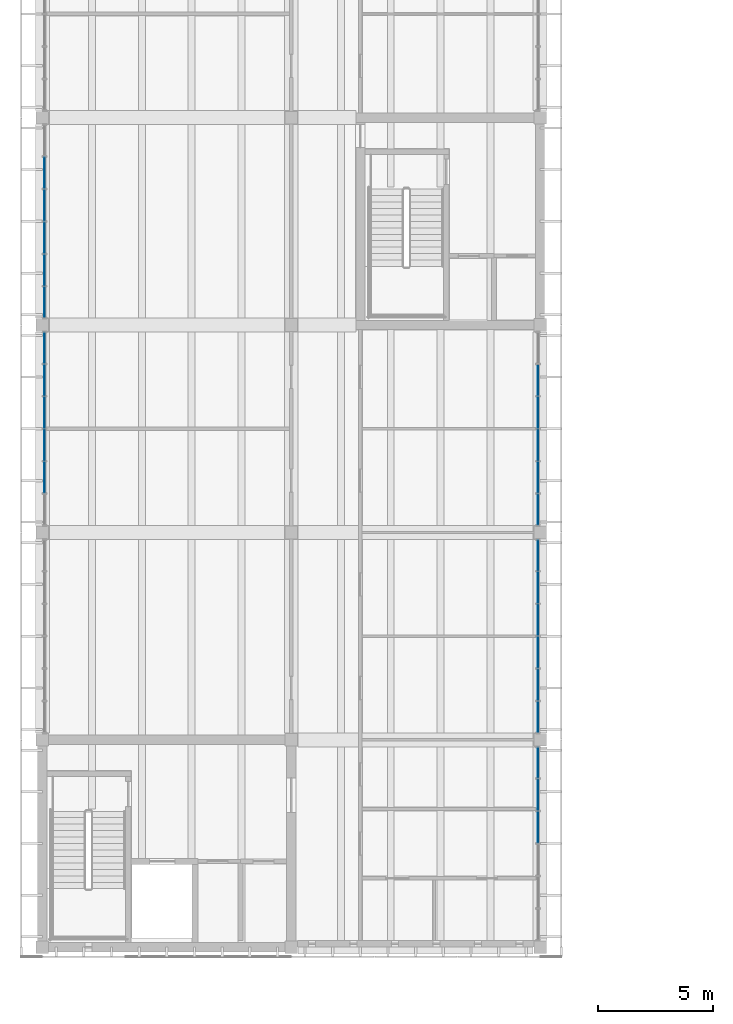
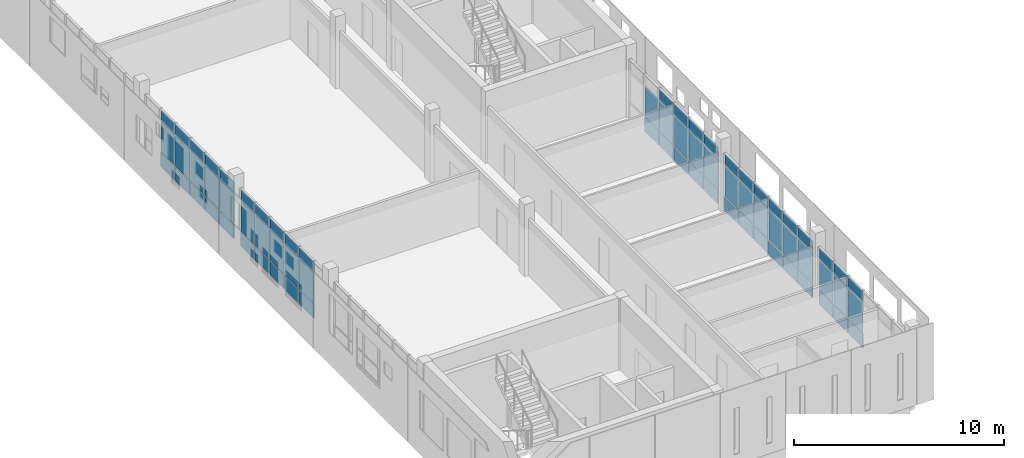
# One storey, part 34 of 74: 71 plates, 5 elements without a shape of their own.
"""IFC4 building model written with IfcOpenShell, lengths in metres."""

from ifc_helpers import new_model, si_unit, direction, frame, origin, origin_2d, place, context, subcontext, project, spatial, rectangle, extrude, material, layer, layer_set, type_object, element, aggregate, save


model = new_model("IFC4")

# Units and contexts
model_context = context("Model", 3, precision=1e-05, world=origin(), true_north=direction((0.0, 1.0)))
body_context = subcontext(model_context, "Body", "Model", "MODEL_VIEW")
ifc_project = project(units=[si_unit("LENGTHUNIT", "METRE"), si_unit("AREAUNIT", "SQUARE_METRE"), si_unit("VOLUMEUNIT", "CUBIC_METRE"), si_unit("PLANEANGLEUNIT", "RADIAN"), si_unit("MASSUNIT", "GRAM", prefix="KILO")], contexts=[model_context])

# Site, building, storey
site_placement = place(None, origin())
site = spatial("IfcSite", under=ifc_project, at=site_placement, CompositionType="ELEMENT")
building_placement = place(site_placement, origin())
building = spatial("IfcBuilding", under=site, at=building_placement, Name="Merrow Basin Faculty of Sciences", CompositionType="ELEMENT")
storey_placement = place(building_placement, frame((0.0, 0.0, 13.5)))
storey = spatial("IfcBuildingStorey", under=building, at=storey_placement, Name="L03", CompositionType="ELEMENT", Elevation=13.5)

# Curtain wall, plates
ifc_material_1 = material(Name="Aluminium alloy 6063", Category="aluminium")
curtain_wall_type = type_object("IfcCurtainWallType", Name="Bar unitised curtain wall 180", PredefinedType="NOTDEFINED", material=ifc_material_1)
curtain_wall_1_placement = place(storey_placement, origin())
curtain_wall_1 = element("IfcCurtainWall", 1, at=curtain_wall_1_placement, inside=storey, type_object=curtain_wall_type, Name="West curtain wall L03 2", PredefinedType="NOTDEFINED")
ifc_material_2 = material(Name="Insulated aluminium spandrel panel", Category="aluminium")
ifc_layer_1 = layer(ifc_material_2, 0.052001953125)
ifc_layer_set_1 = layer_set([ifc_layer_1], Name="Insulated spandrel panel 52")
plate_type_1 = type_object("IfcPlateType", Name="Insulated spandrel panel 52", PredefinedType="CURTAIN_PANEL", material=ifc_layer_set_1)
plate_1_placement = place(storey_placement, frame((0.090087890625, 81.387451171875, 0.06005859375), z_axis=(0.0, 0.0, 1.0), x_axis=(0.0, 1.0, 0.0)))
plate_1 = element("IfcPlate", 2, at=plate_1_placement, type_object=plate_type_1, Name="CW1 panel 2.1", PredefinedType="CURTAIN_PANEL", context=body_context, shape_type="SweptSolid", body=[
    extrude(rectangle(XDim=1.348388671875, YDim=0.052001953125, at=origin_2d()), origin(), (0.0, 0.0, 1.0), 0.81005859375),
])
plate_2_placement = place(storey_placement, frame((0.090087890625, 82.7958984375, 0.06005859375), z_axis=(0.0, 0.0, 1.0), x_axis=(0.0, 1.0, 0.0)))
plate_2 = element("IfcPlate", 3, at=plate_2_placement, type_object=plate_type_1, Name="CW1 panel 3.1", PredefinedType="CURTAIN_PANEL", context=body_context, shape_type="SweptSolid", body=[
    extrude(rectangle(XDim=1.348388671875, YDim=0.052001953125, at=origin_2d()), origin(), (0.0, 0.0, 1.0), 0.81005859375),
])
plate_3_placement = place(storey_placement, frame((0.090087890625, 84.2041015625, 0.06005859375), z_axis=(0.0, 0.0, 1.0), x_axis=(0.0, 1.0, 0.0)))
plate_3 = element("IfcPlate", 4, at=plate_3_placement, type_object=plate_type_1, Name="CW1 panel 4.1", PredefinedType="CURTAIN_PANEL", context=body_context, shape_type="SweptSolid", body=[
    extrude(rectangle(XDim=1.348388671875, YDim=0.052001953125, at=origin_2d()), origin(), (0.0, 0.0, 1.0), 0.81005859375),
])
plate_4_placement = place(storey_placement, frame((0.090087890625, 85.612548828125, 0.06005859375), z_axis=(0.0, 0.0, 1.0), x_axis=(0.0, 1.0, 0.0)))
plate_4 = element("IfcPlate", 5, at=plate_4_placement, type_object=plate_type_1, Name="CW1 panel 5.1", PredefinedType="CURTAIN_PANEL", context=body_context, shape_type="SweptSolid", body=[
    extrude(rectangle(XDim=1.348388671875, YDim=0.052001953125, at=origin_2d()), origin(), (0.0, 0.0, 1.0), 0.81005859375),
])
plate_5_placement = place(storey_placement, frame((0.090087890625, 87.005859375, 0.06005859375), z_axis=(0.0, 0.0, 1.0), x_axis=(0.0, 1.0, 0.0)))
plate_5 = element("IfcPlate", 6, at=plate_5_placement, type_object=plate_type_1, Name="CW1 panel 6.1", PredefinedType="CURTAIN_PANEL", context=body_context, shape_type="SweptSolid", body=[
    extrude(rectangle(XDim=1.318359375, YDim=0.052001953125, at=origin_2d()), origin(), (0.0, 0.0, 1.0), 0.81005859375),
])

curtain_wall_2_placement = place(storey_placement, origin())
curtain_wall_2 = element("IfcCurtainWall", 7, at=curtain_wall_2_placement, inside=storey, type_object=curtain_wall_type, Name="West curtain wall L03 3", PredefinedType="NOTDEFINED")
plate_6_placement = place(storey_placement, frame((0.090087890625, 88.994140625, 0.06005859375), z_axis=(0.0, 0.0, 1.0), x_axis=(0.0, 1.0, 0.0)))
plate_6 = element("IfcPlate", 8, at=plate_6_placement, type_object=plate_type_1, Name="CW1 panel 1.1", PredefinedType="CURTAIN_PANEL", context=body_context, shape_type="SweptSolid", body=[
    extrude(rectangle(XDim=1.318359375, YDim=0.052001953125, at=origin_2d()), origin(), (0.0, 0.0, 1.0), 0.81005859375),
])
plate_7_placement = place(storey_placement, frame((0.090087890625, 90.387451171875, 0.06005859375), z_axis=(0.0, 0.0, 1.0), x_axis=(0.0, 1.0, 0.0)))
plate_7 = element("IfcPlate", 9, at=plate_7_placement, type_object=plate_type_1, Name="CW1 panel 2.1", PredefinedType="CURTAIN_PANEL", context=body_context, shape_type="SweptSolid", body=[
    extrude(rectangle(XDim=1.348388671875, YDim=0.052001953125, at=origin_2d()), origin(), (0.0, 0.0, 1.0), 0.81005859375),
])
plate_8_placement = place(storey_placement, frame((0.090087890625, 91.7958984375, 0.06005859375), z_axis=(0.0, 0.0, 1.0), x_axis=(0.0, 1.0, 0.0)))
plate_8 = element("IfcPlate", 10, at=plate_8_placement, type_object=plate_type_1, Name="CW1 panel 3.1", PredefinedType="CURTAIN_PANEL", context=body_context, shape_type="SweptSolid", body=[
    extrude(rectangle(XDim=1.348388671875, YDim=0.052001953125, at=origin_2d()), origin(), (0.0, 0.0, 1.0), 0.81005859375),
])
plate_9_placement = place(storey_placement, frame((0.090087890625, 93.2041015625, 0.06005859375), z_axis=(0.0, 0.0, 1.0), x_axis=(0.0, 1.0, 0.0)))
plate_9 = element("IfcPlate", 11, at=plate_9_placement, type_object=plate_type_1, Name="CW1 panel 4.1", PredefinedType="CURTAIN_PANEL", context=body_context, shape_type="SweptSolid", body=[
    extrude(rectangle(XDim=1.348388671875, YDim=0.052001953125, at=origin_2d()), origin(), (0.0, 0.0, 1.0), 0.81005859375),
])
plate_10_placement = place(storey_placement, frame((0.090087890625, 94.612548828125, 0.06005859375), z_axis=(0.0, 0.0, 1.0), x_axis=(0.0, 1.0, 0.0)))
plate_10 = element("IfcPlate", 12, at=plate_10_placement, type_object=plate_type_1, Name="CW1 panel 5.1", PredefinedType="CURTAIN_PANEL", context=body_context, shape_type="SweptSolid", body=[
    extrude(rectangle(XDim=1.348388671875, YDim=0.052001953125, at=origin_2d()), origin(), (0.0, 0.0, 1.0), 0.81005859375),
])

curtain_wall_3_placement = place(storey_placement, origin())
curtain_wall_3 = element("IfcCurtainWall", 13, at=curtain_wall_3_placement, inside=storey, type_object=curtain_wall_type, Name="East curtain wall L03 1", PredefinedType="NOTDEFINED")
plate_11_placement = place(storey_placement, frame((21.510009765625, 66.2041015625, 0.06005859375), z_axis=(0.0, 0.0, 1.0), x_axis=(0.0, 1.0, 0.0)))
plate_11 = element("IfcPlate", 14, at=plate_11_placement, type_object=plate_type_1, Name="CW1 panel 4.1", PredefinedType="CURTAIN_PANEL", context=body_context, shape_type="SweptSolid", body=[
    extrude(rectangle(XDim=1.348388671875, YDim=0.052001953125, at=origin_2d()), origin(), (0.0, 0.0, 1.0), 0.81005859375),
])
plate_12_placement = place(storey_placement, frame((21.510009765625, 67.612548828125, 0.06005859375), z_axis=(0.0, 0.0, 1.0), x_axis=(0.0, 1.0, 0.0)))
plate_12 = element("IfcPlate", 15, at=plate_12_placement, type_object=plate_type_1, Name="CW1 panel 5.1", PredefinedType="CURTAIN_PANEL", context=body_context, shape_type="SweptSolid", body=[
    extrude(rectangle(XDim=1.348388671875, YDim=0.052001953125, at=origin_2d()), origin(), (0.0, 0.0, 1.0), 0.81005859375),
])
plate_13_placement = place(storey_placement, frame((21.510009765625, 69.005859375, 0.06005859375), z_axis=(0.0, 0.0, 1.0), x_axis=(0.0, 1.0, 0.0)))
plate_13 = element("IfcPlate", 16, at=plate_13_placement, type_object=plate_type_1, Name="CW1 panel 6.1", PredefinedType="CURTAIN_PANEL", context=body_context, shape_type="SweptSolid", body=[
    extrude(rectangle(XDim=1.318359375, YDim=0.052001953125, at=origin_2d()), origin(), (0.0, 0.0, 1.0), 0.81005859375),
])

curtain_wall_4_placement = place(storey_placement, origin())
curtain_wall_4 = element("IfcCurtainWall", 17, at=curtain_wall_4_placement, inside=storey, type_object=curtain_wall_type, Name="East curtain wall L03 2", PredefinedType="NOTDEFINED")
plate_14_placement = place(storey_placement, frame((21.510009765625, 70.994140625, 0.06005859375), z_axis=(0.0, 0.0, 1.0), x_axis=(0.0, 1.0, 0.0)))
plate_14 = element("IfcPlate", 18, at=plate_14_placement, type_object=plate_type_1, Name="CW1 panel 1.1", PredefinedType="CURTAIN_PANEL", context=body_context, shape_type="SweptSolid", body=[
    extrude(rectangle(XDim=1.318359375, YDim=0.052001953125, at=origin_2d()), origin(), (0.0, 0.0, 1.0), 0.81005859375),
])
plate_15_placement = place(storey_placement, frame((21.510009765625, 72.387451171875, 0.06005859375), z_axis=(0.0, 0.0, 1.0), x_axis=(0.0, 1.0, 0.0)))
plate_15 = element("IfcPlate", 19, at=plate_15_placement, type_object=plate_type_1, Name="CW1 panel 2.1", PredefinedType="CURTAIN_PANEL", context=body_context, shape_type="SweptSolid", body=[
    extrude(rectangle(XDim=1.348388671875, YDim=0.052001953125, at=origin_2d()), origin(), (0.0, 0.0, 1.0), 0.81005859375),
])
plate_16_placement = place(storey_placement, frame((21.510009765625, 73.7958984375, 0.06005859375), z_axis=(0.0, 0.0, 1.0), x_axis=(0.0, 1.0, 0.0)))
plate_16 = element("IfcPlate", 20, at=plate_16_placement, type_object=plate_type_1, Name="CW1 panel 3.1", PredefinedType="CURTAIN_PANEL", context=body_context, shape_type="SweptSolid", body=[
    extrude(rectangle(XDim=1.348388671875, YDim=0.052001953125, at=origin_2d()), origin(), (0.0, 0.0, 1.0), 0.81005859375),
])
plate_17_placement = place(storey_placement, frame((21.510009765625, 75.2041015625, 0.06005859375), z_axis=(0.0, 0.0, 1.0), x_axis=(0.0, 1.0, 0.0)))
plate_17 = element("IfcPlate", 21, at=plate_17_placement, type_object=plate_type_1, Name="CW1 panel 4.1", PredefinedType="CURTAIN_PANEL", context=body_context, shape_type="SweptSolid", body=[
    extrude(rectangle(XDim=1.348388671875, YDim=0.052001953125, at=origin_2d()), origin(), (0.0, 0.0, 1.0), 0.81005859375),
])
plate_18_placement = place(storey_placement, frame((21.510009765625, 76.612548828125, 0.06005859375), z_axis=(0.0, 0.0, 1.0), x_axis=(0.0, 1.0, 0.0)))
plate_18 = element("IfcPlate", 22, at=plate_18_placement, type_object=plate_type_1, Name="CW1 panel 5.1", PredefinedType="CURTAIN_PANEL", context=body_context, shape_type="SweptSolid", body=[
    extrude(rectangle(XDim=1.348388671875, YDim=0.052001953125, at=origin_2d()), origin(), (0.0, 0.0, 1.0), 0.81005859375),
])
plate_19_placement = place(storey_placement, frame((21.510009765625, 78.005859375, 0.06005859375), z_axis=(0.0, 0.0, 1.0), x_axis=(0.0, 1.0, 0.0)))
plate_19 = element("IfcPlate", 23, at=plate_19_placement, type_object=plate_type_1, Name="CW1 panel 6.1", PredefinedType="CURTAIN_PANEL", context=body_context, shape_type="SweptSolid", body=[
    extrude(rectangle(XDim=1.318359375, YDim=0.052001953125, at=origin_2d()), origin(), (0.0, 0.0, 1.0), 0.81005859375),
])

curtain_wall_5_placement = place(storey_placement, origin())
curtain_wall_5 = element("IfcCurtainWall", 24, at=curtain_wall_5_placement, inside=storey, type_object=curtain_wall_type, Name="East curtain wall L03 3", PredefinedType="NOTDEFINED")
plate_20_placement = place(storey_placement, frame((21.510009765625, 79.994140625, 0.06005859375), z_axis=(0.0, 0.0, 1.0), x_axis=(0.0, 1.0, 0.0)))
plate_20 = element("IfcPlate", 25, at=plate_20_placement, type_object=plate_type_1, Name="CW1 panel 1.1", PredefinedType="CURTAIN_PANEL", context=body_context, shape_type="SweptSolid", body=[
    extrude(rectangle(XDim=1.318359375, YDim=0.052001953125, at=origin_2d()), origin(), (0.0, 0.0, 1.0), 0.81005859375),
])
plate_21_placement = place(storey_placement, frame((21.510009765625, 81.387451171875, 0.06005859375), z_axis=(0.0, 0.0, 1.0), x_axis=(0.0, 1.0, 0.0)))
plate_21 = element("IfcPlate", 26, at=plate_21_placement, type_object=plate_type_1, Name="CW1 panel 2.1", PredefinedType="CURTAIN_PANEL", context=body_context, shape_type="SweptSolid", body=[
    extrude(rectangle(XDim=1.348388671875, YDim=0.052001953125, at=origin_2d()), origin(), (0.0, 0.0, 1.0), 0.81005859375),
])
plate_22_placement = place(storey_placement, frame((21.510009765625, 82.7958984375, 0.06005859375), z_axis=(0.0, 0.0, 1.0), x_axis=(0.0, 1.0, 0.0)))
plate_22 = element("IfcPlate", 27, at=plate_22_placement, type_object=plate_type_1, Name="CW1 panel 3.1", PredefinedType="CURTAIN_PANEL", context=body_context, shape_type="SweptSolid", body=[
    extrude(rectangle(XDim=1.348388671875, YDim=0.052001953125, at=origin_2d()), origin(), (0.0, 0.0, 1.0), 0.81005859375),
])
plate_23_placement = place(storey_placement, frame((21.510009765625, 84.2041015625, 0.06005859375), z_axis=(0.0, 0.0, 1.0), x_axis=(0.0, 1.0, 0.0)))
plate_23 = element("IfcPlate", 28, at=plate_23_placement, type_object=plate_type_1, Name="CW1 panel 4.1", PredefinedType="CURTAIN_PANEL", context=body_context, shape_type="SweptSolid", body=[
    extrude(rectangle(XDim=1.348388671875, YDim=0.052001953125, at=origin_2d()), origin(), (0.0, 0.0, 1.0), 0.81005859375),
])
plate_24_placement = place(storey_placement, frame((21.510009765625, 85.612548828125, 0.06005859375), z_axis=(0.0, 0.0, 1.0), x_axis=(0.0, 1.0, 0.0)))
plate_24 = element("IfcPlate", 29, at=plate_24_placement, type_object=plate_type_1, Name="CW1 panel 5.1", PredefinedType="CURTAIN_PANEL", context=body_context, shape_type="SweptSolid", body=[
    extrude(rectangle(XDim=1.348388671875, YDim=0.052001953125, at=origin_2d()), origin(), (0.0, 0.0, 1.0), 0.81005859375),
])

# Plate
ifc_material_3 = material(Name="Low-E double glazing", Category="glass")
ifc_layer_2 = layer(ifc_material_3, 0.028076171875)
ifc_layer_set_2 = layer_set([ifc_layer_2], Name="Low-E double glazed panel 28")
plate_type_2 = type_object("IfcPlateType", Name="Low-E double glazed panel 28", PredefinedType="CURTAIN_PANEL", material=ifc_layer_set_2)
plate_25_placement = place(storey_placement, frame((0.090087890625, 81.387451171875, 0.93017578125), z_axis=(0.0, 0.0, 1.0), x_axis=(0.0, 1.0, 0.0)))
plate_25 = element("IfcPlate", 30, at=plate_25_placement, type_object=plate_type_2, Name="CW1 panel 2.2", PredefinedType="CURTAIN_PANEL", context=body_context, shape_type="SweptSolid", body=[
    extrude(rectangle(XDim=1.348388671875, YDim=0.028076171875, at=origin_2d()), origin(), (0.0, 0.0, 1.0), 1.739990234375),
])

plate_26_placement = place(storey_placement, frame((0.090087890625, 81.387451171875, 2.72998046875), z_axis=(0.0, 0.0, 1.0), x_axis=(0.0, 1.0, 0.0)))
plate_26 = element("IfcPlate", 31, at=plate_26_placement, type_object=plate_type_2, Name="CW1 panel 2.3", PredefinedType="CURTAIN_PANEL", context=body_context, shape_type="SweptSolid", body=[
    extrude(rectangle(XDim=1.348388671875, YDim=0.028076171875, at=origin_2d()), origin(), (0.0, 0.0, 1.0), 0.610107421875),
])

plate_27_placement = place(storey_placement, frame((0.090087890625, 82.7958984375, 0.93017578125), z_axis=(0.0, 0.0, 1.0), x_axis=(0.0, 1.0, 0.0)))
plate_27 = element("IfcPlate", 32, at=plate_27_placement, type_object=plate_type_2, Name="CW1 panel 3.2", PredefinedType="CURTAIN_PANEL", context=body_context, shape_type="SweptSolid", body=[
    extrude(rectangle(XDim=1.348388671875, YDim=0.028076171875, at=origin_2d()), origin(), (0.0, 0.0, 1.0), 1.739990234375),
])

plate_28_placement = place(storey_placement, frame((0.090087890625, 82.7958984375, 2.72998046875), z_axis=(0.0, 0.0, 1.0), x_axis=(0.0, 1.0, 0.0)))
plate_28 = element("IfcPlate", 33, at=plate_28_placement, type_object=plate_type_2, Name="CW1 panel 3.3", PredefinedType="CURTAIN_PANEL", context=body_context, shape_type="SweptSolid", body=[
    extrude(rectangle(XDim=1.348388671875, YDim=0.028076171875, at=origin_2d()), origin(), (0.0, 0.0, 1.0), 0.610107421875),
])

plate_29_placement = place(storey_placement, frame((0.090087890625, 84.2041015625, 0.93017578125), z_axis=(0.0, 0.0, 1.0), x_axis=(0.0, 1.0, 0.0)))
plate_29 = element("IfcPlate", 34, at=plate_29_placement, type_object=plate_type_2, Name="CW1 panel 4.2", PredefinedType="CURTAIN_PANEL", context=body_context, shape_type="SweptSolid", body=[
    extrude(rectangle(XDim=1.348388671875, YDim=0.028076171875, at=origin_2d()), origin(), (0.0, 0.0, 1.0), 1.739990234375),
])

plate_30_placement = place(storey_placement, frame((0.090087890625, 84.2041015625, 2.72998046875), z_axis=(0.0, 0.0, 1.0), x_axis=(0.0, 1.0, 0.0)))
plate_30 = element("IfcPlate", 35, at=plate_30_placement, type_object=plate_type_2, Name="CW1 panel 4.3", PredefinedType="CURTAIN_PANEL", context=body_context, shape_type="SweptSolid", body=[
    extrude(rectangle(XDim=1.348388671875, YDim=0.028076171875, at=origin_2d()), origin(), (0.0, 0.0, 1.0), 0.610107421875),
])

plate_31_placement = place(storey_placement, frame((0.090087890625, 85.612548828125, 0.93017578125), z_axis=(0.0, 0.0, 1.0), x_axis=(0.0, 1.0, 0.0)))
plate_31 = element("IfcPlate", 36, at=plate_31_placement, type_object=plate_type_2, Name="CW1 panel 5.2", PredefinedType="CURTAIN_PANEL", context=body_context, shape_type="SweptSolid", body=[
    extrude(rectangle(XDim=1.348388671875, YDim=0.028076171875, at=origin_2d()), origin(), (0.0, 0.0, 1.0), 1.739990234375),
])

plate_32_placement = place(storey_placement, frame((0.090087890625, 85.612548828125, 2.72998046875), z_axis=(0.0, 0.0, 1.0), x_axis=(0.0, 1.0, 0.0)))
plate_32 = element("IfcPlate", 37, at=plate_32_placement, type_object=plate_type_2, Name="CW1 panel 5.3", PredefinedType="CURTAIN_PANEL", context=body_context, shape_type="SweptSolid", body=[
    extrude(rectangle(XDim=1.348388671875, YDim=0.028076171875, at=origin_2d()), origin(), (0.0, 0.0, 1.0), 0.610107421875),
])

plate_33_placement = place(storey_placement, frame((0.090087890625, 87.005859375, 0.93017578125), z_axis=(0.0, 0.0, 1.0), x_axis=(0.0, 1.0, 0.0)))
plate_33 = element("IfcPlate", 38, at=plate_33_placement, type_object=plate_type_2, Name="CW1 panel 6.2", PredefinedType="CURTAIN_PANEL", context=body_context, shape_type="SweptSolid", body=[
    extrude(rectangle(XDim=1.318359375, YDim=0.028076171875, at=origin_2d()), origin(), (0.0, 0.0, 1.0), 1.739990234375),
])

plate_34_placement = place(storey_placement, frame((0.090087890625, 87.005859375, 2.72998046875), z_axis=(0.0, 0.0, 1.0), x_axis=(0.0, 1.0, 0.0)))
plate_34 = element("IfcPlate", 39, at=plate_34_placement, type_object=plate_type_2, Name="CW1 panel 6.3", PredefinedType="CURTAIN_PANEL", context=body_context, shape_type="SweptSolid", body=[
    extrude(rectangle(XDim=1.318359375, YDim=0.028076171875, at=origin_2d()), origin(), (0.0, 0.0, 1.0), 0.610107421875),
])

aggregate(curtain_wall_1, [plate_1, plate_25, plate_26, plate_2, plate_27, plate_28, plate_3, plate_29, plate_30, plate_4, plate_31, plate_32, plate_5, plate_33, plate_34])

plate_35_placement = place(storey_placement, frame((0.090087890625, 88.994140625, 0.93017578125), z_axis=(0.0, 0.0, 1.0), x_axis=(0.0, 1.0, 0.0)))
plate_35 = element("IfcPlate", 40, at=plate_35_placement, type_object=plate_type_2, Name="CW1 panel 1.2", PredefinedType="CURTAIN_PANEL", context=body_context, shape_type="SweptSolid", body=[
    extrude(rectangle(XDim=1.318359375, YDim=0.028076171875, at=origin_2d()), origin(), (0.0, 0.0, 1.0), 1.739990234375),
])

plate_36_placement = place(storey_placement, frame((0.090087890625, 88.994140625, 2.72998046875), z_axis=(0.0, 0.0, 1.0), x_axis=(0.0, 1.0, 0.0)))
plate_36 = element("IfcPlate", 41, at=plate_36_placement, type_object=plate_type_2, Name="CW1 panel 1.3", PredefinedType="CURTAIN_PANEL", context=body_context, shape_type="SweptSolid", body=[
    extrude(rectangle(XDim=1.318359375, YDim=0.028076171875, at=origin_2d()), origin(), (0.0, 0.0, 1.0), 0.610107421875),
])

plate_37_placement = place(storey_placement, frame((0.090087890625, 90.387451171875, 0.93017578125), z_axis=(0.0, 0.0, 1.0), x_axis=(0.0, 1.0, 0.0)))
plate_37 = element("IfcPlate", 42, at=plate_37_placement, type_object=plate_type_2, Name="CW1 panel 2.2", PredefinedType="CURTAIN_PANEL", context=body_context, shape_type="SweptSolid", body=[
    extrude(rectangle(XDim=1.348388671875, YDim=0.028076171875, at=origin_2d()), origin(), (0.0, 0.0, 1.0), 1.739990234375),
])

plate_38_placement = place(storey_placement, frame((0.090087890625, 90.387451171875, 2.72998046875), z_axis=(0.0, 0.0, 1.0), x_axis=(0.0, 1.0, 0.0)))
plate_38 = element("IfcPlate", 43, at=plate_38_placement, type_object=plate_type_2, Name="CW1 panel 2.3", PredefinedType="CURTAIN_PANEL", context=body_context, shape_type="SweptSolid", body=[
    extrude(rectangle(XDim=1.348388671875, YDim=0.028076171875, at=origin_2d()), origin(), (0.0, 0.0, 1.0), 0.610107421875),
])

plate_39_placement = place(storey_placement, frame((0.090087890625, 91.7958984375, 0.93017578125), z_axis=(0.0, 0.0, 1.0), x_axis=(0.0, 1.0, 0.0)))
plate_39 = element("IfcPlate", 44, at=plate_39_placement, type_object=plate_type_2, Name="CW1 panel 3.2", PredefinedType="CURTAIN_PANEL", context=body_context, shape_type="SweptSolid", body=[
    extrude(rectangle(XDim=1.348388671875, YDim=0.028076171875, at=origin_2d()), origin(), (0.0, 0.0, 1.0), 1.739990234375),
])

plate_40_placement = place(storey_placement, frame((0.090087890625, 91.7958984375, 2.72998046875), z_axis=(0.0, 0.0, 1.0), x_axis=(0.0, 1.0, 0.0)))
plate_40 = element("IfcPlate", 45, at=plate_40_placement, type_object=plate_type_2, Name="CW1 panel 3.3", PredefinedType="CURTAIN_PANEL", context=body_context, shape_type="SweptSolid", body=[
    extrude(rectangle(XDim=1.348388671875, YDim=0.028076171875, at=origin_2d()), origin(), (0.0, 0.0, 1.0), 0.610107421875),
])

plate_41_placement = place(storey_placement, frame((0.090087890625, 93.2041015625, 0.93017578125), z_axis=(0.0, 0.0, 1.0), x_axis=(0.0, 1.0, 0.0)))
plate_41 = element("IfcPlate", 46, at=plate_41_placement, type_object=plate_type_2, Name="CW1 panel 4.2", PredefinedType="CURTAIN_PANEL", context=body_context, shape_type="SweptSolid", body=[
    extrude(rectangle(XDim=1.348388671875, YDim=0.028076171875, at=origin_2d()), origin(), (0.0, 0.0, 1.0), 1.739990234375),
])

plate_42_placement = place(storey_placement, frame((0.090087890625, 93.2041015625, 2.72998046875), z_axis=(0.0, 0.0, 1.0), x_axis=(0.0, 1.0, 0.0)))
plate_42 = element("IfcPlate", 47, at=plate_42_placement, type_object=plate_type_2, Name="CW1 panel 4.3", PredefinedType="CURTAIN_PANEL", context=body_context, shape_type="SweptSolid", body=[
    extrude(rectangle(XDim=1.348388671875, YDim=0.028076171875, at=origin_2d()), origin(), (0.0, 0.0, 1.0), 0.610107421875),
])

plate_43_placement = place(storey_placement, frame((0.090087890625, 94.612548828125, 0.93017578125), z_axis=(0.0, 0.0, 1.0), x_axis=(0.0, 1.0, 0.0)))
plate_43 = element("IfcPlate", 48, at=plate_43_placement, type_object=plate_type_2, Name="CW1 panel 5.2", PredefinedType="CURTAIN_PANEL", context=body_context, shape_type="SweptSolid", body=[
    extrude(rectangle(XDim=1.348388671875, YDim=0.028076171875, at=origin_2d()), origin(), (0.0, 0.0, 1.0), 1.739990234375),
])

plate_44_placement = place(storey_placement, frame((0.090087890625, 94.612548828125, 2.72998046875), z_axis=(0.0, 0.0, 1.0), x_axis=(0.0, 1.0, 0.0)))
plate_44 = element("IfcPlate", 49, at=plate_44_placement, type_object=plate_type_2, Name="CW1 panel 5.3", PredefinedType="CURTAIN_PANEL", context=body_context, shape_type="SweptSolid", body=[
    extrude(rectangle(XDim=1.348388671875, YDim=0.028076171875, at=origin_2d()), origin(), (0.0, 0.0, 1.0), 0.610107421875),
])

aggregate(curtain_wall_2, [plate_6, plate_35, plate_36, plate_7, plate_37, plate_38, plate_8, plate_39, plate_40, plate_9, plate_41, plate_42, plate_10, plate_43, plate_44])

plate_45_placement = place(storey_placement, frame((21.510009765625, 66.2041015625, 0.93017578125), z_axis=(0.0, 0.0, 1.0), x_axis=(0.0, 1.0, 0.0)))
plate_45 = element("IfcPlate", 50, at=plate_45_placement, type_object=plate_type_2, Name="CW1 panel 4.2", PredefinedType="CURTAIN_PANEL", context=body_context, shape_type="SweptSolid", body=[
    extrude(rectangle(XDim=1.348388671875, YDim=0.028076171875, at=origin_2d()), origin(), (0.0, 0.0, 1.0), 1.739990234375),
])

plate_46_placement = place(storey_placement, frame((21.510009765625, 66.2041015625, 2.72998046875), z_axis=(0.0, 0.0, 1.0), x_axis=(0.0, 1.0, 0.0)))
plate_46 = element("IfcPlate", 51, at=plate_46_placement, type_object=plate_type_2, Name="CW1 panel 4.3", PredefinedType="CURTAIN_PANEL", context=body_context, shape_type="SweptSolid", body=[
    extrude(rectangle(XDim=1.348388671875, YDim=0.028076171875, at=origin_2d()), origin(), (0.0, 0.0, 1.0), 0.610107421875),
])

plate_47_placement = place(storey_placement, frame((21.510009765625, 67.612548828125, 0.93017578125), z_axis=(0.0, 0.0, 1.0), x_axis=(0.0, 1.0, 0.0)))
plate_47 = element("IfcPlate", 52, at=plate_47_placement, type_object=plate_type_2, Name="CW1 panel 5.2", PredefinedType="CURTAIN_PANEL", context=body_context, shape_type="SweptSolid", body=[
    extrude(rectangle(XDim=1.348388671875, YDim=0.028076171875, at=origin_2d()), origin(), (0.0, 0.0, 1.0), 1.739990234375),
])

plate_48_placement = place(storey_placement, frame((21.510009765625, 67.612548828125, 2.72998046875), z_axis=(0.0, 0.0, 1.0), x_axis=(0.0, 1.0, 0.0)))
plate_48 = element("IfcPlate", 53, at=plate_48_placement, type_object=plate_type_2, Name="CW1 panel 5.3", PredefinedType="CURTAIN_PANEL", context=body_context, shape_type="SweptSolid", body=[
    extrude(rectangle(XDim=1.348388671875, YDim=0.028076171875, at=origin_2d()), origin(), (0.0, 0.0, 1.0), 0.610107421875),
])

plate_49_placement = place(storey_placement, frame((21.510009765625, 69.005859375, 0.93017578125), z_axis=(0.0, 0.0, 1.0), x_axis=(0.0, 1.0, 0.0)))
plate_49 = element("IfcPlate", 54, at=plate_49_placement, type_object=plate_type_2, Name="CW1 panel 6.2", PredefinedType="CURTAIN_PANEL", context=body_context, shape_type="SweptSolid", body=[
    extrude(rectangle(XDim=1.318359375, YDim=0.028076171875, at=origin_2d()), origin(), (0.0, 0.0, 1.0), 1.739990234375),
])

plate_50_placement = place(storey_placement, frame((21.510009765625, 69.005859375, 2.72998046875), z_axis=(0.0, 0.0, 1.0), x_axis=(0.0, 1.0, 0.0)))
plate_50 = element("IfcPlate", 55, at=plate_50_placement, type_object=plate_type_2, Name="CW1 panel 6.3", PredefinedType="CURTAIN_PANEL", context=body_context, shape_type="SweptSolid", body=[
    extrude(rectangle(XDim=1.318359375, YDim=0.028076171875, at=origin_2d()), origin(), (0.0, 0.0, 1.0), 0.610107421875),
])

aggregate(curtain_wall_3, [plate_11, plate_45, plate_46, plate_12, plate_47, plate_48, plate_13, plate_49, plate_50])

plate_51_placement = place(storey_placement, frame((21.510009765625, 70.994140625, 0.93017578125), z_axis=(0.0, 0.0, 1.0), x_axis=(0.0, 1.0, 0.0)))
plate_51 = element("IfcPlate", 56, at=plate_51_placement, type_object=plate_type_2, Name="CW1 panel 1.2", PredefinedType="CURTAIN_PANEL", context=body_context, shape_type="SweptSolid", body=[
    extrude(rectangle(XDim=1.318359375, YDim=0.028076171875, at=origin_2d()), origin(), (0.0, 0.0, 1.0), 1.739990234375),
])

plate_52_placement = place(storey_placement, frame((21.510009765625, 70.994140625, 2.72998046875), z_axis=(0.0, 0.0, 1.0), x_axis=(0.0, 1.0, 0.0)))
plate_52 = element("IfcPlate", 57, at=plate_52_placement, type_object=plate_type_2, Name="CW1 panel 1.3", PredefinedType="CURTAIN_PANEL", context=body_context, shape_type="SweptSolid", body=[
    extrude(rectangle(XDim=1.318359375, YDim=0.028076171875, at=origin_2d()), origin(), (0.0, 0.0, 1.0), 0.610107421875),
])

plate_53_placement = place(storey_placement, frame((21.510009765625, 72.387451171875, 0.93017578125), z_axis=(0.0, 0.0, 1.0), x_axis=(0.0, 1.0, 0.0)))
plate_53 = element("IfcPlate", 58, at=plate_53_placement, type_object=plate_type_2, Name="CW1 panel 2.2", PredefinedType="CURTAIN_PANEL", context=body_context, shape_type="SweptSolid", body=[
    extrude(rectangle(XDim=1.348388671875, YDim=0.028076171875, at=origin_2d()), origin(), (0.0, 0.0, 1.0), 1.739990234375),
])

plate_54_placement = place(storey_placement, frame((21.510009765625, 72.387451171875, 2.72998046875), z_axis=(0.0, 0.0, 1.0), x_axis=(0.0, 1.0, 0.0)))
plate_54 = element("IfcPlate", 59, at=plate_54_placement, type_object=plate_type_2, Name="CW1 panel 2.3", PredefinedType="CURTAIN_PANEL", context=body_context, shape_type="SweptSolid", body=[
    extrude(rectangle(XDim=1.348388671875, YDim=0.028076171875, at=origin_2d()), origin(), (0.0, 0.0, 1.0), 0.610107421875),
])

plate_55_placement = place(storey_placement, frame((21.510009765625, 73.7958984375, 0.93017578125), z_axis=(0.0, 0.0, 1.0), x_axis=(0.0, 1.0, 0.0)))
plate_55 = element("IfcPlate", 60, at=plate_55_placement, type_object=plate_type_2, Name="CW1 panel 3.2", PredefinedType="CURTAIN_PANEL", context=body_context, shape_type="SweptSolid", body=[
    extrude(rectangle(XDim=1.348388671875, YDim=0.028076171875, at=origin_2d()), origin(), (0.0, 0.0, 1.0), 1.739990234375),
])

plate_56_placement = place(storey_placement, frame((21.510009765625, 73.7958984375, 2.72998046875), z_axis=(0.0, 0.0, 1.0), x_axis=(0.0, 1.0, 0.0)))
plate_56 = element("IfcPlate", 61, at=plate_56_placement, type_object=plate_type_2, Name="CW1 panel 3.3", PredefinedType="CURTAIN_PANEL", context=body_context, shape_type="SweptSolid", body=[
    extrude(rectangle(XDim=1.348388671875, YDim=0.028076171875, at=origin_2d()), origin(), (0.0, 0.0, 1.0), 0.610107421875),
])

plate_57_placement = place(storey_placement, frame((21.510009765625, 75.2041015625, 0.93017578125), z_axis=(0.0, 0.0, 1.0), x_axis=(0.0, 1.0, 0.0)))
plate_57 = element("IfcPlate", 62, at=plate_57_placement, type_object=plate_type_2, Name="CW1 panel 4.2", PredefinedType="CURTAIN_PANEL", context=body_context, shape_type="SweptSolid", body=[
    extrude(rectangle(XDim=1.348388671875, YDim=0.028076171875, at=origin_2d()), origin(), (0.0, 0.0, 1.0), 1.739990234375),
])

plate_58_placement = place(storey_placement, frame((21.510009765625, 75.2041015625, 2.72998046875), z_axis=(0.0, 0.0, 1.0), x_axis=(0.0, 1.0, 0.0)))
plate_58 = element("IfcPlate", 63, at=plate_58_placement, type_object=plate_type_2, Name="CW1 panel 4.3", PredefinedType="CURTAIN_PANEL", context=body_context, shape_type="SweptSolid", body=[
    extrude(rectangle(XDim=1.348388671875, YDim=0.028076171875, at=origin_2d()), origin(), (0.0, 0.0, 1.0), 0.610107421875),
])

plate_59_placement = place(storey_placement, frame((21.510009765625, 76.612548828125, 0.93017578125), z_axis=(0.0, 0.0, 1.0), x_axis=(0.0, 1.0, 0.0)))
plate_59 = element("IfcPlate", 64, at=plate_59_placement, type_object=plate_type_2, Name="CW1 panel 5.2", PredefinedType="CURTAIN_PANEL", context=body_context, shape_type="SweptSolid", body=[
    extrude(rectangle(XDim=1.348388671875, YDim=0.028076171875, at=origin_2d()), origin(), (0.0, 0.0, 1.0), 1.739990234375),
])

plate_60_placement = place(storey_placement, frame((21.510009765625, 76.612548828125, 2.72998046875), z_axis=(0.0, 0.0, 1.0), x_axis=(0.0, 1.0, 0.0)))
plate_60 = element("IfcPlate", 65, at=plate_60_placement, type_object=plate_type_2, Name="CW1 panel 5.3", PredefinedType="CURTAIN_PANEL", context=body_context, shape_type="SweptSolid", body=[
    extrude(rectangle(XDim=1.348388671875, YDim=0.028076171875, at=origin_2d()), origin(), (0.0, 0.0, 1.0), 0.610107421875),
])

plate_61_placement = place(storey_placement, frame((21.510009765625, 78.005859375, 0.93017578125), z_axis=(0.0, 0.0, 1.0), x_axis=(0.0, 1.0, 0.0)))
plate_61 = element("IfcPlate", 66, at=plate_61_placement, type_object=plate_type_2, Name="CW1 panel 6.2", PredefinedType="CURTAIN_PANEL", context=body_context, shape_type="SweptSolid", body=[
    extrude(rectangle(XDim=1.318359375, YDim=0.028076171875, at=origin_2d()), origin(), (0.0, 0.0, 1.0), 1.739990234375),
])

plate_62_placement = place(storey_placement, frame((21.510009765625, 78.005859375, 2.72998046875), z_axis=(0.0, 0.0, 1.0), x_axis=(0.0, 1.0, 0.0)))
plate_62 = element("IfcPlate", 67, at=plate_62_placement, type_object=plate_type_2, Name="CW1 panel 6.3", PredefinedType="CURTAIN_PANEL", context=body_context, shape_type="SweptSolid", body=[
    extrude(rectangle(XDim=1.318359375, YDim=0.028076171875, at=origin_2d()), origin(), (0.0, 0.0, 1.0), 0.610107421875),
])

aggregate(curtain_wall_4, [plate_14, plate_51, plate_52, plate_15, plate_53, plate_54, plate_16, plate_55, plate_56, plate_17, plate_57, plate_58, plate_18, plate_59, plate_60, plate_19, plate_61, plate_62])

plate_63_placement = place(storey_placement, frame((21.510009765625, 79.994140625, 0.93017578125), z_axis=(0.0, 0.0, 1.0), x_axis=(0.0, 1.0, 0.0)))
plate_63 = element("IfcPlate", 68, at=plate_63_placement, type_object=plate_type_2, Name="CW1 panel 1.2", PredefinedType="CURTAIN_PANEL", context=body_context, shape_type="SweptSolid", body=[
    extrude(rectangle(XDim=1.318359375, YDim=0.028076171875, at=origin_2d()), origin(), (0.0, 0.0, 1.0), 1.739990234375),
])

plate_64_placement = place(storey_placement, frame((21.510009765625, 79.994140625, 2.72998046875), z_axis=(0.0, 0.0, 1.0), x_axis=(0.0, 1.0, 0.0)))
plate_64 = element("IfcPlate", 69, at=plate_64_placement, type_object=plate_type_2, Name="CW1 panel 1.3", PredefinedType="CURTAIN_PANEL", context=body_context, shape_type="SweptSolid", body=[
    extrude(rectangle(XDim=1.318359375, YDim=0.028076171875, at=origin_2d()), origin(), (0.0, 0.0, 1.0), 0.610107421875),
])

plate_65_placement = place(storey_placement, frame((21.510009765625, 81.387451171875, 0.93017578125), z_axis=(0.0, 0.0, 1.0), x_axis=(0.0, 1.0, 0.0)))
plate_65 = element("IfcPlate", 70, at=plate_65_placement, type_object=plate_type_2, Name="CW1 panel 2.2", PredefinedType="CURTAIN_PANEL", context=body_context, shape_type="SweptSolid", body=[
    extrude(rectangle(XDim=1.348388671875, YDim=0.028076171875, at=origin_2d()), origin(), (0.0, 0.0, 1.0), 1.739990234375),
])

plate_66_placement = place(storey_placement, frame((21.510009765625, 81.387451171875, 2.72998046875), z_axis=(0.0, 0.0, 1.0), x_axis=(0.0, 1.0, 0.0)))
plate_66 = element("IfcPlate", 71, at=plate_66_placement, type_object=plate_type_2, Name="CW1 panel 2.3", PredefinedType="CURTAIN_PANEL", context=body_context, shape_type="SweptSolid", body=[
    extrude(rectangle(XDim=1.348388671875, YDim=0.028076171875, at=origin_2d()), origin(), (0.0, 0.0, 1.0), 0.610107421875),
])

plate_67_placement = place(storey_placement, frame((21.510009765625, 82.7958984375, 0.93017578125), z_axis=(0.0, 0.0, 1.0), x_axis=(0.0, 1.0, 0.0)))
plate_67 = element("IfcPlate", 72, at=plate_67_placement, type_object=plate_type_2, Name="CW1 panel 3.2", PredefinedType="CURTAIN_PANEL", context=body_context, shape_type="SweptSolid", body=[
    extrude(rectangle(XDim=1.348388671875, YDim=0.028076171875, at=origin_2d()), origin(), (0.0, 0.0, 1.0), 1.739990234375),
])

plate_68_placement = place(storey_placement, frame((21.510009765625, 82.7958984375, 2.72998046875), z_axis=(0.0, 0.0, 1.0), x_axis=(0.0, 1.0, 0.0)))
plate_68 = element("IfcPlate", 73, at=plate_68_placement, type_object=plate_type_2, Name="CW1 panel 3.3", PredefinedType="CURTAIN_PANEL", context=body_context, shape_type="SweptSolid", body=[
    extrude(rectangle(XDim=1.348388671875, YDim=0.028076171875, at=origin_2d()), origin(), (0.0, 0.0, 1.0), 0.610107421875),
])

plate_69_placement = place(storey_placement, frame((21.510009765625, 84.2041015625, 0.93017578125), z_axis=(0.0, 0.0, 1.0), x_axis=(0.0, 1.0, 0.0)))
plate_69 = element("IfcPlate", 74, at=plate_69_placement, type_object=plate_type_2, Name="CW1 panel 4.2", PredefinedType="CURTAIN_PANEL", context=body_context, shape_type="SweptSolid", body=[
    extrude(rectangle(XDim=1.348388671875, YDim=0.028076171875, at=origin_2d()), origin(), (0.0, 0.0, 1.0), 1.739990234375),
])

plate_70_placement = place(storey_placement, frame((21.510009765625, 84.2041015625, 2.72998046875), z_axis=(0.0, 0.0, 1.0), x_axis=(0.0, 1.0, 0.0)))
plate_70 = element("IfcPlate", 75, at=plate_70_placement, type_object=plate_type_2, Name="CW1 panel 4.3", PredefinedType="CURTAIN_PANEL", context=body_context, shape_type="SweptSolid", body=[
    extrude(rectangle(XDim=1.348388671875, YDim=0.028076171875, at=origin_2d()), origin(), (0.0, 0.0, 1.0), 0.610107421875),
])

plate_71_placement = place(storey_placement, frame((21.510009765625, 85.612548828125, 0.93017578125), z_axis=(0.0, 0.0, 1.0), x_axis=(0.0, 1.0, 0.0)))
plate_71 = element("IfcPlate", 76, at=plate_71_placement, type_object=plate_type_2, Name="CW1 panel 5.2", PredefinedType="CURTAIN_PANEL", context=body_context, shape_type="SweptSolid", body=[
    extrude(rectangle(XDim=1.348388671875, YDim=0.028076171875, at=origin_2d()), origin(), (0.0, 0.0, 1.0), 1.739990234375),
])

aggregate(curtain_wall_5, [plate_20, plate_63, plate_64, plate_21, plate_65, plate_66, plate_22, plate_67, plate_68, plate_23, plate_69, plate_70, plate_24, plate_71])

save(model, "model.ifc")
